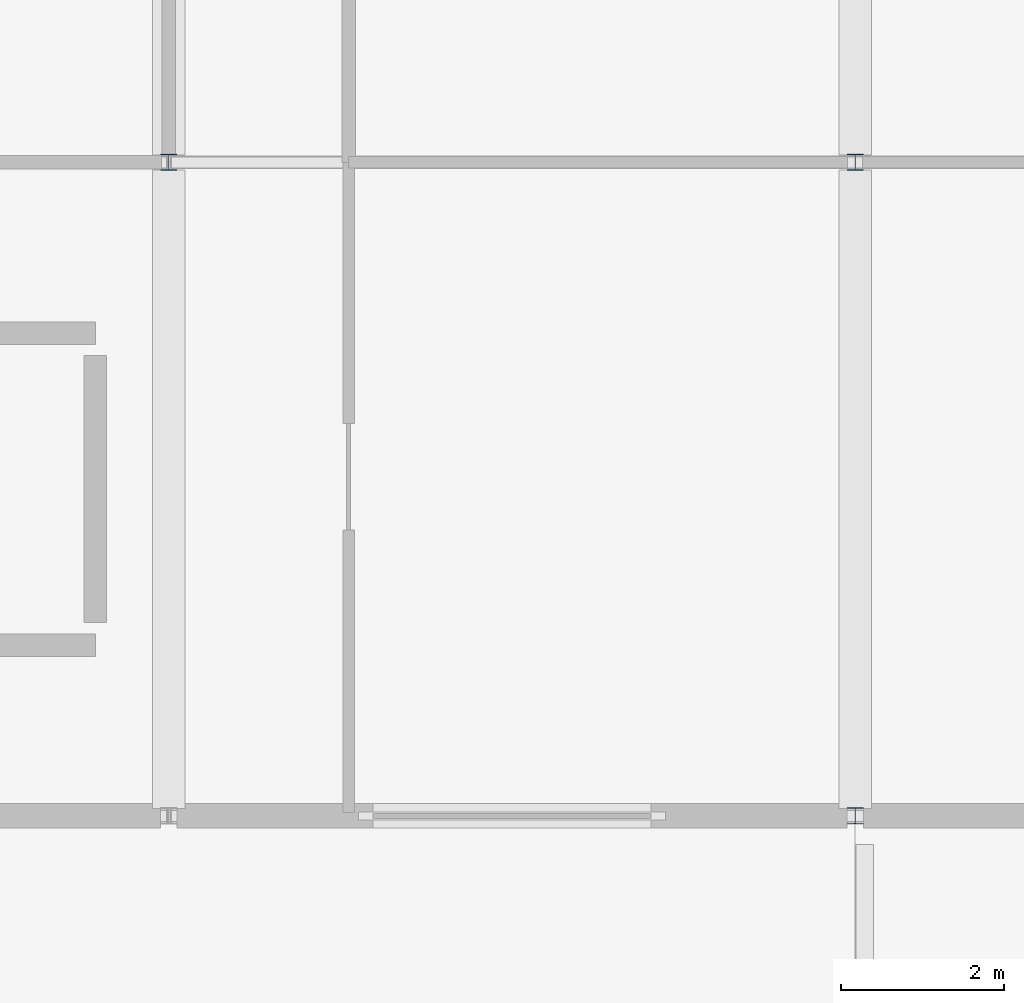
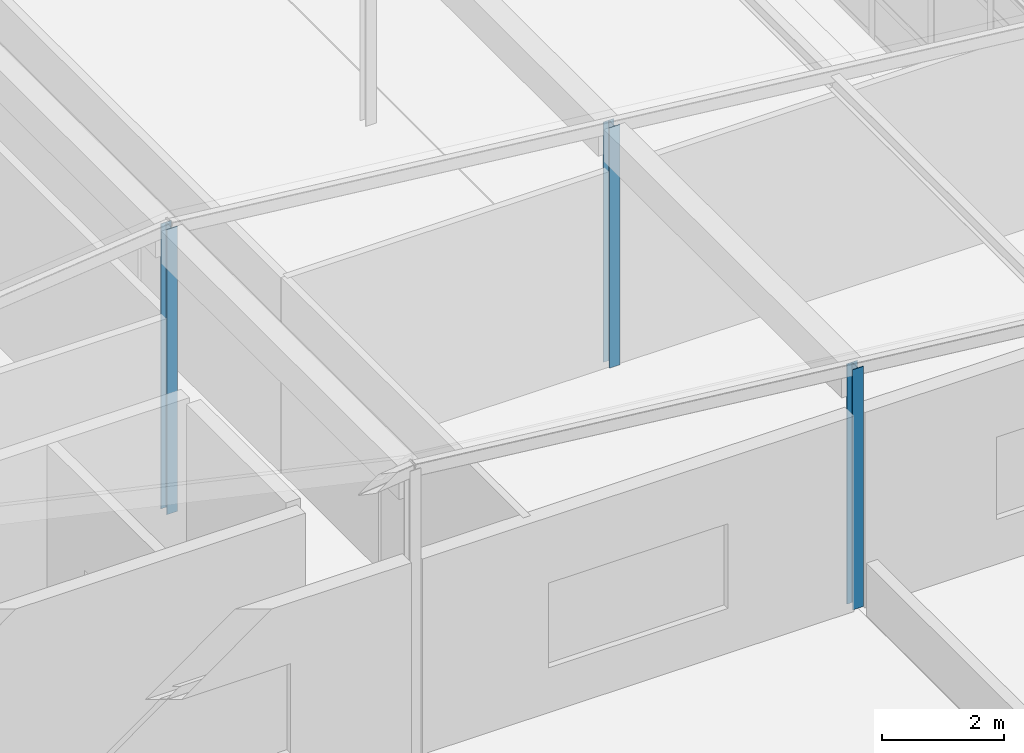
# One storey, part 2 of 25: 3 columns.
"""IFC4 building model written with IfcOpenShell, lengths in metres."""

from ifc_helpers import new_model, si_unit, direction, frame, origin, origin_2d, place, context, subcontext, project, spatial, i_section, extrude, material, material_profile, profile_set, type_object, element, save


model = new_model("IFC4")

# Units and contexts
model_context = context("Model", 3, precision=1e-05, world=origin(), true_north=direction((0.0, 1.0)))
body_context = subcontext(model_context, "Body", "Model", "MODEL_VIEW")
ifc_project = project(units=[si_unit("LENGTHUNIT", "METRE"), si_unit("AREAUNIT", "SQUARE_METRE"), si_unit("VOLUMEUNIT", "CUBIC_METRE"), si_unit("PLANEANGLEUNIT", "RADIAN"), si_unit("MASSUNIT", "GRAM", prefix="KILO")], contexts=[model_context])

# Site, building, storey
site_placement = place(None, origin())
site = spatial("IfcSite", under=ifc_project, at=site_placement, CompositionType="ELEMENT")
building_placement = place(site_placement, origin())
building = spatial("IfcBuilding", under=site, at=building_placement, Name="Kranzveld Transit Interchange", CompositionType="ELEMENT")
storey_placement = place(building_placement, frame((0.0, 0.0, 21.0400390625)))
storey = spatial("IfcBuildingStorey", under=building, at=storey_placement, Name="L05", CompositionType="ELEMENT", Elevation=21.0400390625)

# Columns
ifc_material = material(Name="Steel S355JR", Category="steel")
ifc_material_profile = material_profile(ifc_material, i_section(OverallWidth=0.20361328125, OverallDepth=0.203125, WebThickness=0.007080078125, FlangeThickness=0.010986328125, FilletRadius=0.01025390625, at=origin_2d()), Name="UC 203x203x46")
ifc_profile_set = profile_set([ifc_material_profile], Name="Steel S355JR")
column_type = type_object("IfcColumnType", Name="Column Steel UC 203x203x46 S355JR", PredefinedType="COLUMN", material=ifc_profile_set)
column_placement = place(storey_placement, frame((16.800048828125, 72.0, 0.0), z_axis=(0.0, 0.0, 1.0), x_axis=(1.0, 0.0, 0.0)))
element("IfcColumn", 1, at=column_placement, inside=storey, type_object=column_type, Name="L05 Column 03/K", PredefinedType="COLUMN", context=body_context, shape_type="SweptSolid", body=[
    extrude(i_section(OverallWidth=0.20361328125, OverallDepth=0.203125, WebThickness=0.007080078125, FlangeThickness=0.010986328125, FilletRadius=0.01025390625, at=origin_2d()), origin(), (0.0, 0.0, 1.0), 5.719970703125),
])
for number, where, z_axis, x_axis, name in (
    (2, (25.199951171875, 64.0, 0.0), (0.0, 0.0, 1.0), (1.0, 0.0, 0.0), "L05 Column 04/J"),
    (3, (25.199951171875, 72.0, 0.0), (0.0, 0.0, 1.0), (1.0, 0.0, 0.0), "L05 Column 04/K"),
):
    element("IfcColumn", number, at=place(storey_placement, frame(where, z_axis=z_axis, x_axis=x_axis)), inside=storey, type_object=column_type, Name=name, PredefinedType="COLUMN", context=body_context, shape_type="SweptSolid", body=[
        extrude(i_section(OverallWidth=0.20361328125, OverallDepth=0.203125, WebThickness=0.007080078125, FlangeThickness=0.010986328125, FilletRadius=0.01025390625, at=origin_2d()), origin(), (0.0, 0.0, 1.0), 4.820068359375),
    ])

save(model, "model.ifc")
